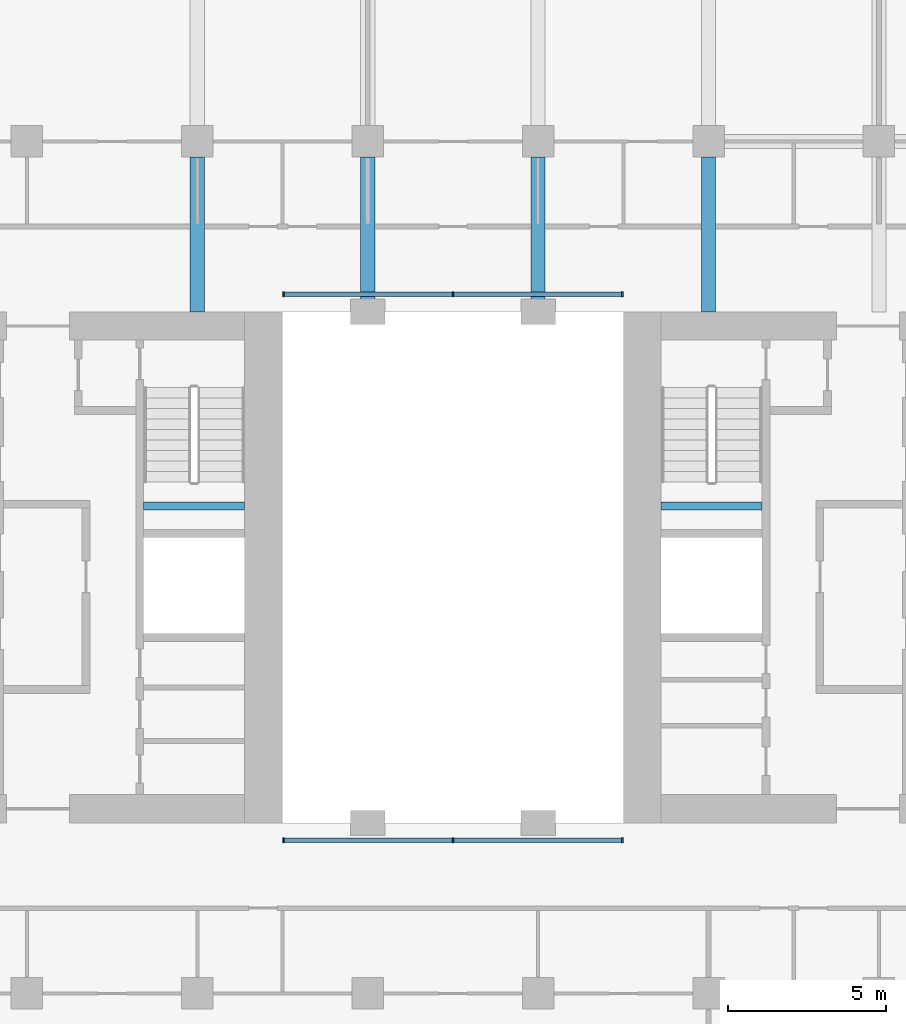
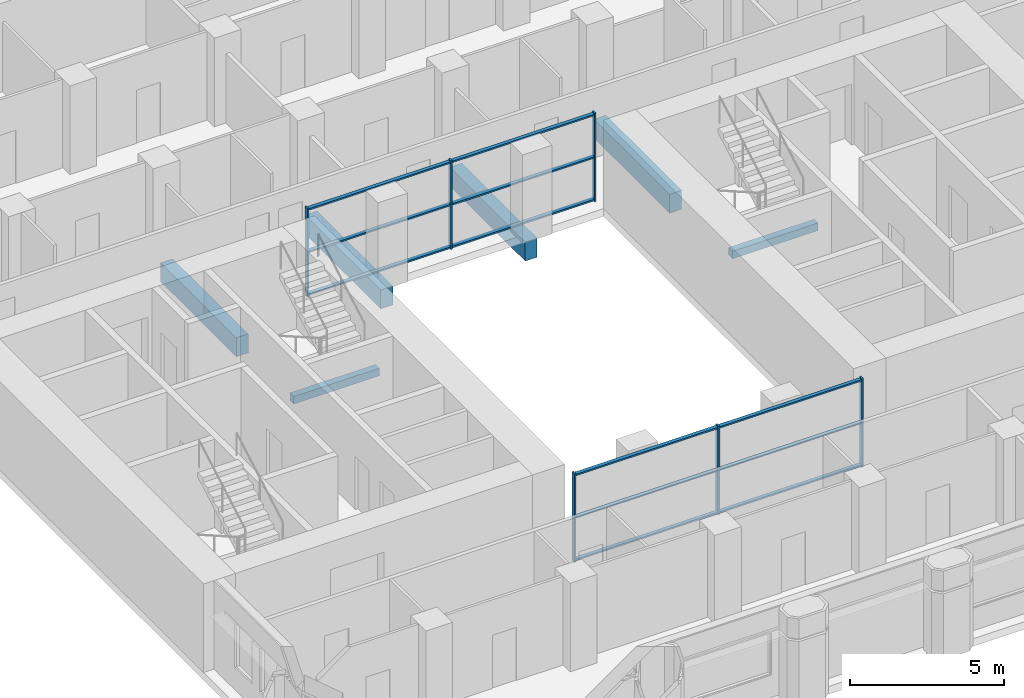
# One storey, part 2 of 11: 18 members, 6 beams, 2 elements without a shape of their own.
"""IFC4 building model written with IfcOpenShell, lengths in metres."""

from ifc_helpers import new_model, si_unit, direction, frame, origin, origin_2d, place, context, subcontext, project, spatial, rectangle, extrude, material, material_profile, profile_set, type_object, element, aggregate, save


model = new_model("IFC4")

# Units and contexts
model_context = context("Model", 3, precision=1e-05, world=origin(), true_north=direction((0.0, 1.0)))
body_context = subcontext(model_context, "Body", "Model", "MODEL_VIEW")
ifc_project = project(units=[si_unit("LENGTHUNIT", "METRE"), si_unit("AREAUNIT", "SQUARE_METRE"), si_unit("VOLUMEUNIT", "CUBIC_METRE"), si_unit("PLANEANGLEUNIT", "RADIAN"), si_unit("MASSUNIT", "GRAM", prefix="KILO")], contexts=[model_context])

# Site, building, storey
site_placement = place(None, origin())
site = spatial("IfcSite", under=ifc_project, at=site_placement, CompositionType="ELEMENT")
building_placement = place(site_placement, origin())
building = spatial("IfcBuilding", under=site, at=building_placement, Name="Tabaq Tower and Sports Hall", CompositionType="ELEMENT")
storey_placement = place(building_placement, frame((0.0, 0.0, 84.0)))
storey = spatial("IfcBuildingStorey", under=building, at=storey_placement, Name="L19", CompositionType="ELEMENT", Elevation=84.0)

# Curtain wall, members
ifc_material_1 = material(Name="Aluminium alloy 6063-T6 framed glazing", Category="aluminium")
curtain_wall_type = type_object("IfcCurtainWallType", Name="CW1 curtain wall", PredefinedType="USERDEFINED", material=ifc_material_1)
curtain_wall_1_placement = place(storey_placement, origin())
curtain_wall_1 = element("IfcCurtainWall", 1, at=curtain_wall_1_placement, inside=storey, type_object=curtain_wall_type, Name="Atrium glazing L19 S", ObjectType="ATRIUM ENCLOSURE", PredefinedType="USERDEFINED")
ifc_material_2 = material(Name="Aluminium alloy 6063-T6", Category="aluminium")
ifc_material_profile_1 = material_profile(ifc_material_2, rectangle(XDim=0.159912109375, YDim=0.06005859375, at=origin_2d()), Name="MULLION 160x60")
ifc_profile_set_1 = profile_set([ifc_material_profile_1], Name="Aluminium alloy 6063-T6")
member_type_1 = type_object("IfcMemberType", Name="CW1 mullion 160x60", PredefinedType="MULLION", material=ifc_profile_set_1)
member_1_placement = place(storey_placement, frame((18.929931640625, 15.64990234375, 0.0), z_axis=(0.0, 0.0, 1.0), x_axis=(0.0, 1.0, 0.0)))
member_1 = element("IfcMember", 2, at=member_1_placement, type_object=member_type_1, Name="CW1 mullion 1", PredefinedType="MULLION", context=body_context, shape_type="SweptSolid", body=[
    extrude(rectangle(XDim=0.159912109375, YDim=0.06005859375, at=origin_2d()), origin(), (0.0, 0.0, 1.0), 3.5),
])
member_2_placement = place(storey_placement, frame((24.300048828125, 15.64990234375, 0.0), z_axis=(0.0, 0.0, 1.0), x_axis=(0.0, 1.0, 0.0)))
member_2 = element("IfcMember", 3, at=member_2_placement, type_object=member_type_1, Name="CW1 mullion 2", PredefinedType="MULLION", context=body_context, shape_type="SweptSolid", body=[
    extrude(rectangle(XDim=0.159912109375, YDim=0.06005859375, at=origin_2d()), origin(), (0.0, 0.0, 1.0), 3.5),
])
member_3_placement = place(storey_placement, frame((29.669921875, 15.64990234375, 0.0), z_axis=(0.0, 0.0, 1.0), x_axis=(0.0, 1.0, 0.0)))
member_3 = element("IfcMember", 4, at=member_3_placement, type_object=member_type_1, Name="CW1 mullion 3", PredefinedType="MULLION", context=body_context, shape_type="SweptSolid", body=[
    extrude(rectangle(XDim=0.159912109375, YDim=0.06005859375, at=origin_2d()), origin(), (0.0, 0.0, 1.0), 3.5),
])

curtain_wall_2_placement = place(storey_placement, origin())
curtain_wall_2 = element("IfcCurtainWall", 5, at=curtain_wall_2_placement, inside=storey, type_object=curtain_wall_type, Name="Atrium glazing L19 N", ObjectType="ATRIUM ENCLOSURE", PredefinedType="USERDEFINED")
member_4_placement = place(storey_placement, frame((18.929931640625, 32.949951171875, 0.0), z_axis=(0.0, 0.0, 1.0), x_axis=(0.0, 1.0, 0.0)))
member_4 = element("IfcMember", 6, at=member_4_placement, type_object=member_type_1, Name="CW1 mullion 1", PredefinedType="MULLION", context=body_context, shape_type="SweptSolid", body=[
    extrude(rectangle(XDim=0.159912109375, YDim=0.06005859375, at=origin_2d()), origin(), (0.0, 0.0, 1.0), 3.5),
])
member_5_placement = place(storey_placement, frame((24.300048828125, 32.949951171875, 0.0), z_axis=(0.0, 0.0, 1.0), x_axis=(0.0, 1.0, 0.0)))
member_5 = element("IfcMember", 7, at=member_5_placement, type_object=member_type_1, Name="CW1 mullion 2", PredefinedType="MULLION", context=body_context, shape_type="SweptSolid", body=[
    extrude(rectangle(XDim=0.159912109375, YDim=0.06005859375, at=origin_2d()), origin(), (0.0, 0.0, 1.0), 3.5),
])
member_6_placement = place(storey_placement, frame((29.669921875, 32.949951171875, 0.0), z_axis=(0.0, 0.0, 1.0), x_axis=(0.0, 1.0, 0.0)))
member_6 = element("IfcMember", 8, at=member_6_placement, type_object=member_type_1, Name="CW1 mullion 3", PredefinedType="MULLION", context=body_context, shape_type="SweptSolid", body=[
    extrude(rectangle(XDim=0.159912109375, YDim=0.06005859375, at=origin_2d()), origin(), (0.0, 0.0, 1.0), 3.5),
])

# Member
ifc_material_3 = material(Name="Aluminium alloy 6063-T6", Category="aluminium")
ifc_material_profile_2 = material_profile(ifc_material_3, rectangle(XDim=0.139892578125, YDim=0.06005859375, at=origin_2d()), Name="TRANSOM 140x60")
ifc_profile_set_2 = profile_set([ifc_material_profile_2], Name="Aluminium alloy 6063-T6")
member_type_2 = type_object("IfcMemberType", Name="CW1 transom 140x60", PredefinedType="USERDEFINED", material=ifc_profile_set_2)
member_7_placement = place(storey_placement, frame((18.9599609375, 15.64990234375, 0.070068359375), z_axis=(1.0, 0.0, 0.0), x_axis=(0.0, 1.0, 0.0)))
member_7 = element("IfcMember", 9, at=member_7_placement, type_object=member_type_2, Name="CW1 transom 1.1", ObjectType="TRANSOM", PredefinedType="USERDEFINED", context=body_context, shape_type="SweptSolid", body=[
    extrude(rectangle(XDim=0.139892578125, YDim=0.06005859375, at=origin_2d()), origin(), (0.0, 0.0, 1.0), 5.31005859375),
])

member_8_placement = place(storey_placement, frame((18.9599609375, 15.64990234375, 1.75), z_axis=(1.0, 0.0, 0.0), x_axis=(0.0, 1.0, 0.0)))
member_8 = element("IfcMember", 10, at=member_8_placement, type_object=member_type_2, Name="CW1 transom 1.2", ObjectType="TRANSOM", PredefinedType="USERDEFINED", context=body_context, shape_type="SweptSolid", body=[
    extrude(rectangle(XDim=0.139892578125, YDim=0.06005859375, at=origin_2d()), origin(), (0.0, 0.0, 1.0), 5.31005859375),
])

member_9_placement = place(storey_placement, frame((18.9599609375, 15.64990234375, 3.429931640625), z_axis=(1.0, 0.0, 0.0), x_axis=(0.0, 1.0, 0.0)))
member_9 = element("IfcMember", 11, at=member_9_placement, type_object=member_type_2, Name="CW1 transom 1.3", ObjectType="TRANSOM", PredefinedType="USERDEFINED", context=body_context, shape_type="SweptSolid", body=[
    extrude(rectangle(XDim=0.139892578125, YDim=0.06005859375, at=origin_2d()), origin(), (0.0, 0.0, 1.0), 5.31005859375),
])

member_10_placement = place(storey_placement, frame((24.330078125, 15.64990234375, 0.070068359375), z_axis=(1.0, 0.0, 0.0), x_axis=(0.0, 1.0, 0.0)))
member_10 = element("IfcMember", 12, at=member_10_placement, type_object=member_type_2, Name="CW1 transom 2.1", ObjectType="TRANSOM", PredefinedType="USERDEFINED", context=body_context, shape_type="SweptSolid", body=[
    extrude(rectangle(XDim=0.139892578125, YDim=0.06005859375, at=origin_2d()), origin(), (0.0, 0.0, 1.0), 5.309814453125),
])

member_11_placement = place(storey_placement, frame((24.330078125, 15.64990234375, 1.75), z_axis=(1.0, 0.0, 0.0), x_axis=(0.0, 1.0, 0.0)))
member_11 = element("IfcMember", 13, at=member_11_placement, type_object=member_type_2, Name="CW1 transom 2.2", ObjectType="TRANSOM", PredefinedType="USERDEFINED", context=body_context, shape_type="SweptSolid", body=[
    extrude(rectangle(XDim=0.139892578125, YDim=0.06005859375, at=origin_2d()), origin(), (0.0, 0.0, 1.0), 5.309814453125),
])

member_12_placement = place(storey_placement, frame((24.330078125, 15.64990234375, 3.429931640625), z_axis=(1.0, 0.0, 0.0), x_axis=(0.0, 1.0, 0.0)))
member_12 = element("IfcMember", 14, at=member_12_placement, type_object=member_type_2, Name="CW1 transom 2.3", ObjectType="TRANSOM", PredefinedType="USERDEFINED", context=body_context, shape_type="SweptSolid", body=[
    extrude(rectangle(XDim=0.139892578125, YDim=0.06005859375, at=origin_2d()), origin(), (0.0, 0.0, 1.0), 5.309814453125),
])

aggregate(curtain_wall_1, [member_1, member_2, member_3, member_7, member_8, member_9, member_10, member_11, member_12])

member_13_placement = place(storey_placement, frame((18.9599609375, 32.949951171875, 0.070068359375), z_axis=(1.0, 0.0, 0.0), x_axis=(0.0, 1.0, 0.0)))
member_13 = element("IfcMember", 15, at=member_13_placement, type_object=member_type_2, Name="CW1 transom 1.1", ObjectType="TRANSOM", PredefinedType="USERDEFINED", context=body_context, shape_type="SweptSolid", body=[
    extrude(rectangle(XDim=0.139892578125, YDim=0.06005859375, at=origin_2d()), origin(), (0.0, 0.0, 1.0), 5.31005859375),
])

member_14_placement = place(storey_placement, frame((18.9599609375, 32.949951171875, 1.75), z_axis=(1.0, 0.0, 0.0), x_axis=(0.0, 1.0, 0.0)))
member_14 = element("IfcMember", 16, at=member_14_placement, type_object=member_type_2, Name="CW1 transom 1.2", ObjectType="TRANSOM", PredefinedType="USERDEFINED", context=body_context, shape_type="SweptSolid", body=[
    extrude(rectangle(XDim=0.139892578125, YDim=0.06005859375, at=origin_2d()), origin(), (0.0, 0.0, 1.0), 5.31005859375),
])

member_15_placement = place(storey_placement, frame((18.9599609375, 32.949951171875, 3.429931640625), z_axis=(1.0, 0.0, 0.0), x_axis=(0.0, 1.0, 0.0)))
member_15 = element("IfcMember", 17, at=member_15_placement, type_object=member_type_2, Name="CW1 transom 1.3", ObjectType="TRANSOM", PredefinedType="USERDEFINED", context=body_context, shape_type="SweptSolid", body=[
    extrude(rectangle(XDim=0.139892578125, YDim=0.06005859375, at=origin_2d()), origin(), (0.0, 0.0, 1.0), 5.31005859375),
])

member_16_placement = place(storey_placement, frame((24.330078125, 32.949951171875, 0.070068359375), z_axis=(1.0, 0.0, 0.0), x_axis=(0.0, 1.0, 0.0)))
member_16 = element("IfcMember", 18, at=member_16_placement, type_object=member_type_2, Name="CW1 transom 2.1", ObjectType="TRANSOM", PredefinedType="USERDEFINED", context=body_context, shape_type="SweptSolid", body=[
    extrude(rectangle(XDim=0.139892578125, YDim=0.06005859375, at=origin_2d()), origin(), (0.0, 0.0, 1.0), 5.309814453125),
])

member_17_placement = place(storey_placement, frame((24.330078125, 32.949951171875, 1.75), z_axis=(1.0, 0.0, 0.0), x_axis=(0.0, 1.0, 0.0)))
member_17 = element("IfcMember", 19, at=member_17_placement, type_object=member_type_2, Name="CW1 transom 2.2", ObjectType="TRANSOM", PredefinedType="USERDEFINED", context=body_context, shape_type="SweptSolid", body=[
    extrude(rectangle(XDim=0.139892578125, YDim=0.06005859375, at=origin_2d()), origin(), (0.0, 0.0, 1.0), 5.309814453125),
])

member_18_placement = place(storey_placement, frame((24.330078125, 32.949951171875, 3.429931640625), z_axis=(1.0, 0.0, 0.0), x_axis=(0.0, 1.0, 0.0)))
member_18 = element("IfcMember", 20, at=member_18_placement, type_object=member_type_2, Name="CW1 transom 2.3", ObjectType="TRANSOM", PredefinedType="USERDEFINED", context=body_context, shape_type="SweptSolid", body=[
    extrude(rectangle(XDim=0.139892578125, YDim=0.06005859375, at=origin_2d()), origin(), (0.0, 0.0, 1.0), 5.309814453125),
])

aggregate(curtain_wall_2, [member_4, member_5, member_6, member_13, member_14, member_15, member_16, member_17, member_18])

# Beams
ifc_material_4 = material(Name="Concrete C40/50", Category="concrete")
ifc_material_profile_3 = material_profile(ifc_material_4, rectangle(XDim=0.449951171875, YDim=0.75, at=origin_2d()), Name="CB 450x750")
ifc_profile_set_3 = profile_set([ifc_material_profile_3], Name="Concrete C40/50")
beam_type_1 = type_object("IfcBeamType", Name="PT CANTILEVER BEAM CB 450x750 C40/50", PredefinedType="BEAM", material=ifc_profile_set_3)
for number, where, z_axis, x_axis, name in (
    (21, (16.199951171875, 37.300048828125, -0.675048828125), (0.0, -1.0, 0.0), (1.0, 0.0, 0.0), "Cantilever Beam L19 N3 span 3"),
    (22, (21.60009765625, 37.300048828125, -0.675048828125), (0.0, -1.0, 0.0), (1.0, 0.0, 0.0), "Cantilever Beam L19 N4 span 3"),
    (23, (27.0, 37.300048828125, -0.675048828125), (0.0, -1.0, 0.0), (1.0, 0.0, 0.0), "Cantilever Beam L19 N5 span 3"),
    (24, (32.39990234375, 37.300048828125, -0.675048828125), (0.0, -1.0, 0.0), (1.0, 0.0, 0.0), "Cantilever Beam L19 N6 span 3"),
):
    element("IfcBeam", number, at=place(storey_placement, frame(where, z_axis=z_axis, x_axis=x_axis)), inside=storey, type_object=beam_type_1, Name=name, PredefinedType="BEAM", context=body_context, shape_type="SweptSolid", body=[
        extrude(rectangle(XDim=0.449951171875, YDim=0.75, at=origin_2d()), origin(), (0.0, 0.0, 1.0), 4.900146484375),
    ])
ifc_material_5 = material(Name="Concrete C40/50", Category="concrete")
ifc_material_profile_4 = material_profile(ifc_material_5, rectangle(XDim=0.25, YDim=0.300048828125, at=origin_2d()), Name="RC 250x300")
ifc_profile_set_4 = profile_set([ifc_material_profile_4], Name="Concrete C40/50")
beam_type_2 = type_object("IfcBeamType", Name="Stair landing beam 250x300", PredefinedType="BEAM", material=ifc_profile_set_4)
beam_1_placement = place(storey_placement, frame((14.5, 26.25, 1.550048828125), z_axis=(1.0, 0.0, 0.0), x_axis=(0.0, 1.0, 0.0)))
element("IfcBeam", 25, at=beam_1_placement, inside=storey, type_object=beam_type_2, Name="L19 ST2 landing beam 1", PredefinedType="BEAM", context=body_context, shape_type="SweptSolid", body=[
    extrude(rectangle(XDim=0.25, YDim=0.300048828125, at=origin_2d()), origin(), (0.0, 0.0, 1.0), 3.199951171875),
])
beam_2_placement = place(storey_placement, frame((30.89990234375, 26.25, 1.550048828125), z_axis=(1.0, 0.0, 0.0), x_axis=(0.0, 1.0, 0.0)))
element("IfcBeam", 26, at=beam_2_placement, inside=storey, type_object=beam_type_2, Name="L19 ST4 landing beam 1", PredefinedType="BEAM", context=body_context, shape_type="SweptSolid", body=[
    extrude(rectangle(XDim=0.25, YDim=0.300048828125, at=origin_2d()), origin(), (0.0, 0.0, 1.0), 3.2001953125),
])

save(model, "model.ifc")
